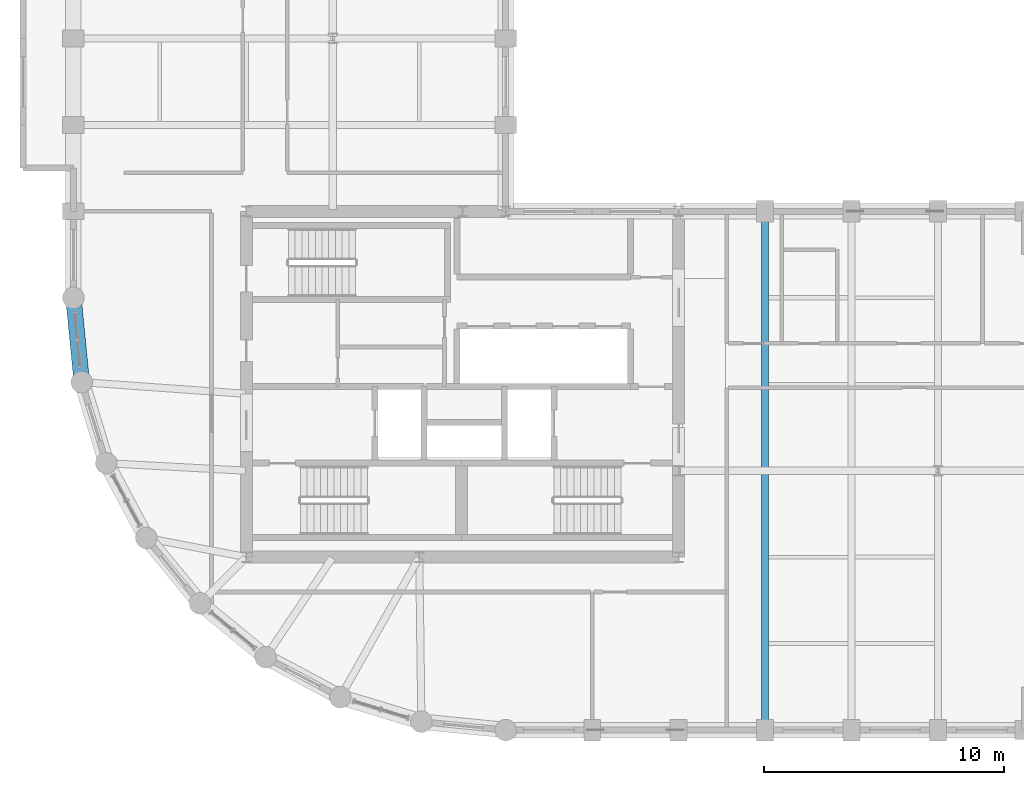
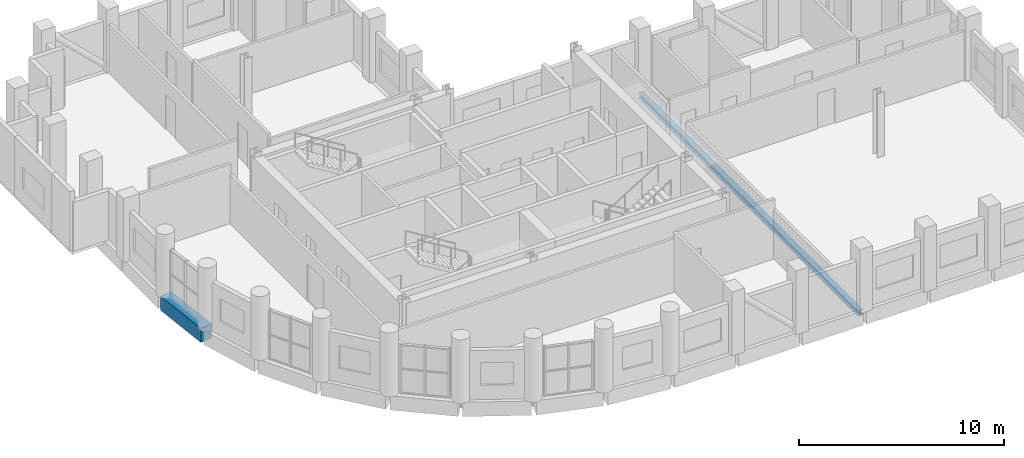
# One storey, part 5 of 12: 2 beams.
"""IFC4 building model written with IfcOpenShell, lengths in metres."""

from ifc_helpers import new_model, si_unit, direction, frame, origin, origin_2d, place, context, subcontext, project, spatial, rectangle, i_section, extrude, material, material_profile, profile_set, type_object, element, save


model = new_model("IFC4")

# Units and contexts
model_context = context("Model", 3, precision=1e-05, world=origin(), true_north=direction((0.0, 1.0)))
body_context = subcontext(model_context, "Body", "Model", "MODEL_VIEW")
ifc_project = project(units=[si_unit("LENGTHUNIT", "METRE"), si_unit("AREAUNIT", "SQUARE_METRE"), si_unit("VOLUMEUNIT", "CUBIC_METRE"), si_unit("PLANEANGLEUNIT", "RADIAN"), si_unit("MASSUNIT", "GRAM", prefix="KILO")], contexts=[model_context])

# Site, building, storey
site_placement = place(None, origin())
site = spatial("IfcSite", under=ifc_project, at=site_placement, CompositionType="ELEMENT")
building_placement = place(site_placement, origin())
building = spatial("IfcBuilding", under=site, at=building_placement, Name="Solnavia Interchange Tower", CompositionType="ELEMENT")
storey_placement = place(building_placement, frame((0.0, 0.0, 193.800048828125)))
storey = spatial("IfcBuildingStorey", under=building, at=storey_placement, Name="L48", CompositionType="ELEMENT", Elevation=193.800048828125)

# Beams
ifc_material_1 = material(Name="Steel S355", Category="steel")
ifc_material_profile_1 = material_profile(ifc_material_1, i_section(OverallWidth=0.300048828125, OverallDepth=0.31005859375, WebThickness=0.009033203125, FlangeThickness=0.015380859375, FilletRadius=0.027099609375, at=origin_2d()), Name="HEA 320")
ifc_profile_set_1 = profile_set([ifc_material_profile_1], Name="Steel S355")
beam_type_1 = type_object("IfcBeamType", Name="Beam-Primary-HEA320", PredefinedType="BEAM", material=ifc_profile_set_1)
beam_1_placement = place(storey_placement, frame((36.0, 3.679931640625, -0.405029296875), z_axis=(0.0, 1.0, 0.0), x_axis=(-1.0, 0.0, 0.0)))
element("IfcBeam", 1, at=beam_1_placement, inside=storey, type_object=beam_type_1, Name="GRD-L48-EW03 East wing primary floor girder", PredefinedType="BEAM", context=body_context, shape_type="SweptSolid", body=[
    extrude(i_section(OverallWidth=0.300048828125, OverallDepth=0.31005859375, WebThickness=0.009033203125, FlangeThickness=0.015380859375, FilletRadius=0.027099609375, at=origin_2d()), origin(), (0.0, 0.0, 1.0), 21.440185546875),
])
ifc_material_2 = material(Name="Concrete C50/60", Category="concrete")
ifc_material_profile_2 = material_profile(ifc_material_2, rectangle(XDim=0.64990234375, YDim=0.85009765625, at=origin_2d()), Name="RC 650x850")
ifc_profile_set_2 = profile_set([ifc_material_profile_2], Name="Concrete C50/60")
beam_type_2 = type_object("IfcBeamType", Name="Beam-Spandrel-RC650x850", PredefinedType="SPANDREL", material=ifc_profile_set_2)
beam_2_placement = place(storey_placement, frame((7.207763671875, 21.5205078125, -0.425048828125), z_axis=(0.098040038117, -0.995182471171, 0.0), x_axis=(0.995182471171, 0.098040038117, 0.0)))
element("IfcBeam", 2, at=beam_2_placement, inside=storey, type_object=beam_type_2, Name="SPB-L48-01 Framed-tube perimeter spandrel beam", PredefinedType="SPANDREL", context=body_context, shape_type="SweptSolid", body=[
    extrude(rectangle(XDim=0.64990234375, YDim=0.85009765625, at=origin_2d()), origin(), (0.0, 0.0, 1.0), 3.369140625),
])

save(model, "model.ifc")
